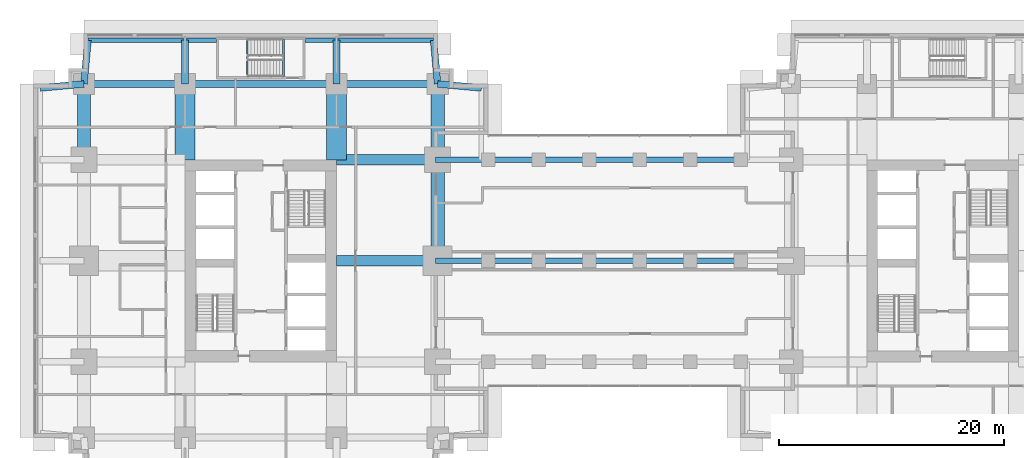
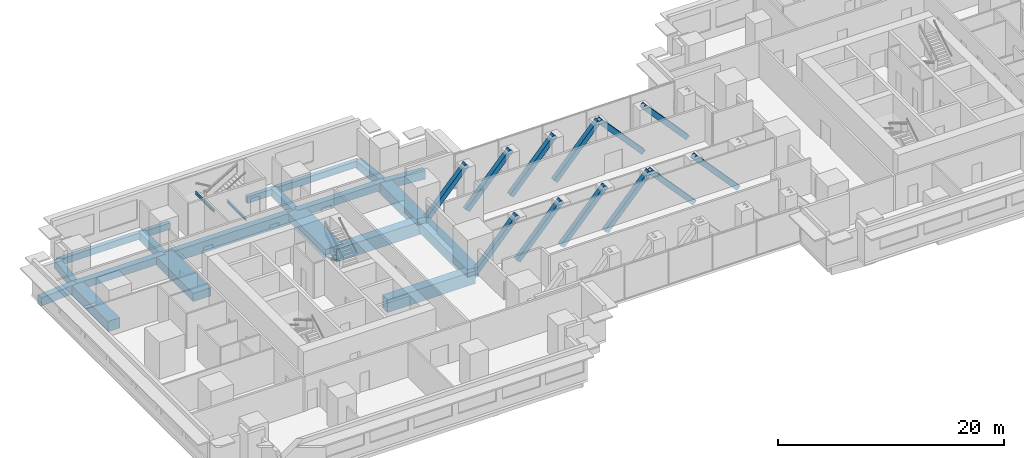
# One storey, part 3 of 15: 18 beams, 14 members.
"""IFC4 building model written with IfcOpenShell, lengths in metres."""

from ifc_helpers import new_model, si_unit, direction, frame, origin, origin_2d, place, context, subcontext, project, spatial, rectangle, hollow_rectangle, i_section, extrude, material, material_profile, profile_set, type_object, element, save


model = new_model("IFC4")

# Units and contexts
model_context = context("Model", 3, precision=1e-05, world=origin(), true_north=direction((0.0, 1.0)))
body_context = subcontext(model_context, "Body", "Model", "MODEL_VIEW")
ifc_project = project(units=[si_unit("LENGTHUNIT", "METRE"), si_unit("AREAUNIT", "SQUARE_METRE"), si_unit("VOLUMEUNIT", "CUBIC_METRE"), si_unit("PLANEANGLEUNIT", "RADIAN"), si_unit("MASSUNIT", "GRAM", prefix="KILO")], contexts=[model_context])

# Site, building, storey
site_placement = place(None, origin())
site = spatial("IfcSite", under=ifc_project, at=site_placement, CompositionType="ELEMENT")
building_placement = place(site_placement, origin())
building = spatial("IfcBuilding", under=site, at=building_placement, Name="Namib Vertical Campus", CompositionType="ELEMENT")
storey_placement = place(building_placement, frame((0.0, 0.0, 109.0)))
storey = spatial("IfcBuildingStorey", under=building, at=storey_placement, Name="L25", CompositionType="ELEMENT", Elevation=109.0)

# Members
ifc_material_1 = material(Name="Steel S355JR", Category="steel")
ifc_material_profile_1 = material_profile(ifc_material_1, hollow_rectangle(XDim=0.5, YDim=0.5, WallThickness=0.031982421875, at=origin_2d()))
ifc_profile_set_1 = profile_set([ifc_material_profile_1], Name="Steel S355JR")
member_type_1 = type_object("IfcMemberType", Name="Bridge end brace WB 500x500x32", PredefinedType="BRACE", material=ifc_profile_set_1)
for number, where, z_axis, x_axis, name in (
    (1, (36.0, 20.25, -0.949951171875), (0.672676426978, 0.0, 0.739936770669), (0.0, 1.0, 0.0), "Bridge brace BX1 L25 T2 bay 1"),
    (2, (40.5, 20.25, -0.949951171875), (0.672676426978, 0.0, 0.739936770669), (0.0, 1.0, 0.0), "Bridge brace BX1 L25 T2 bay 2"),
    (3, (45.0, 20.25, -0.949951171875), (0.672676426978, 0.0, 0.739936770669), (0.0, 1.0, 0.0), "Bridge brace BX1 L25 T2 bay 3"),
    (4, (49.5, 20.25, -0.949951171875), (0.672676426978, 0.0, 0.739936770669), (0.0, 1.0, 0.0), "Bridge brace BX1 L25 T2 bay 4"),
    (5, (58.5, 20.25, -0.949951171875), (-0.672676426978, 0.0, 0.739936770669), (0.0, -1.0, 0.0), "Bridge brace BX1 L25 T2 bay 5"),
    (6, (63.0, 20.25, -0.949951171875), (-0.672676426978, 0.0, 0.739936770669), (0.0, -1.0, 0.0), "Bridge brace BX1 L25 T2 bay 6"),
    (7, (36.0, 29.25, -0.949951171875), (0.672676426978, 0.0, 0.739936770669), (0.0, 1.0, 0.0), "Bridge brace BX1 L25 T3 bay 1"),
    (8, (40.5, 29.25, -0.949951171875), (0.672676426978, 0.0, 0.739936770669), (0.0, 1.0, 0.0), "Bridge brace BX1 L25 T3 bay 2"),
    (9, (45.0, 29.25, -0.949951171875), (0.672676426978, 0.0, 0.739936770669), (0.0, 1.0, 0.0), "Bridge brace BX1 L25 T3 bay 3"),
    (10, (49.5, 29.25, -0.949951171875), (0.672676426978, 0.0, 0.739936770669), (0.0, 1.0, 0.0), "Bridge brace BX1 L25 T3 bay 4"),
    (11, (58.5, 29.25, -0.949951171875), (-0.672676426978, 0.0, 0.739936770669), (0.0, -1.0, 0.0), "Bridge brace BX1 L25 T3 bay 5"),
    (12, (63.0, 29.25, -0.949951171875), (-0.672676426978, 0.0, 0.739936770669), (0.0, -1.0, 0.0), "Bridge brace BX1 L25 T3 bay 6"),
):
    element("IfcMember", number, at=place(storey_placement, frame(where, z_axis=z_axis, x_axis=x_axis)), inside=storey, type_object=member_type_1, Name=name, PredefinedType="BRACE", context=body_context, shape_type="SweptSolid", body=[
        extrude(hollow_rectangle(XDim=0.5, YDim=0.5, WallThickness=0.031982421875, at=origin_2d()), origin(), (0.0, 0.0, 1.0), 6.689697265625),
    ])

# Beams
ifc_material_2 = material(Name="Concrete C40/50", Category="concrete")
ifc_material_profile_2 = material_profile(ifc_material_2, rectangle(XDim=0.60009765625, YDim=0.89990234375, at=origin_2d()))
ifc_profile_set_2 = profile_set([ifc_material_profile_2], Name="Concrete C40/50")
beam_type_1 = type_object("IfcBeamType", Name="Cantilever girder RC 600x900", PredefinedType="BEAM", material=ifc_profile_set_2)
beam_1_placement = place(storey_placement, frame((4.5, 36.0, -0.699951171875), z_axis=(0.089411326146, 0.995994786511, 0.0), x_axis=(-0.995994786511, 0.089411326146, 0.0)))
element("IfcBeam", 13, at=beam_1_placement, inside=storey, type_object=beam_type_1, Name="Beam B3 L25", PredefinedType="BEAM", context=body_context, shape_type="SweptSolid", body=[
    extrude(rectangle(XDim=0.60009765625, YDim=0.89990234375, at=origin_2d()), origin(), (0.0, 0.0, 1.0), 3.91552734375),
])
for number, where, z_axis, x_axis, name in (
    (14, (13.5, 36.0, -0.699951171875), (0.0, 1.0, 0.0), (-1.0, 0.0, 0.0), "Beam B3 L25"),
    (15, (27.0, 36.0, -0.699951171875), (0.0, 1.0, 0.0), (-1.0, 0.0, 0.0), "Beam B3 L25"),
):
    element("IfcBeam", number, at=place(storey_placement, frame(where, z_axis=z_axis, x_axis=x_axis)), inside=storey, type_object=beam_type_1, Name=name, PredefinedType="BEAM", context=body_context, shape_type="SweptSolid", body=[
        extrude(rectangle(XDim=0.60009765625, YDim=0.89990234375, at=origin_2d()), origin(), (0.0, 0.0, 1.0), 3.89990234375),
    ])
for number, where, z_axis, x_axis, name in (
    (16, (36.0, 36.0, -0.699951171875), (-0.089411326146, 0.995994786511, 0.0), (-0.995994786511, -0.089411326146, 0.0), "Beam B3 L25"),
    (17, (4.5, 36.0, -0.699951171875), (-0.995994786511, -0.089411326146, 0.0), (0.089411326146, -0.995994786511, 0.0), "Beam B3 L25"),
    (18, (36.0, 36.0, -0.699951171875), (0.995994786511, -0.089411326146, 0.0), (0.089411326146, 0.995994786511, 0.0), "Beam B3 L25"),
):
    element("IfcBeam", number, at=place(storey_placement, frame(where, z_axis=z_axis, x_axis=x_axis)), inside=storey, type_object=beam_type_1, Name=name, PredefinedType="BEAM", context=body_context, shape_type="SweptSolid", body=[
        extrude(rectangle(XDim=0.60009765625, YDim=0.89990234375, at=origin_2d()), origin(), (0.0, 0.0, 1.0), 3.91552734375),
    ])
ifc_material_3 = material(Name="Concrete C40/50", Category="concrete")
ifc_material_profile_3 = material_profile(ifc_material_3, rectangle(XDim=0.39990234375, YDim=0.699951171875, at=origin_2d()))
ifc_profile_set_3 = profile_set([ifc_material_profile_3], Name="Concrete C40/50")
beam_type_2 = type_object("IfcBeamType", Name="Edge beam RC 400x700", PredefinedType="SPANDREL", material=ifc_profile_set_3)
for number, where, z_axis, x_axis, name in (
    (19, (4.85009765625, 39.89990234375, -0.60009765625), (1.0, 0.0, 0.0), (0.0, 1.0, 0.0), "Beam B4 L25"),
    (20, (24.199951171875, 39.89990234375, -0.60009765625), (1.0, 0.0, 0.0), (0.0, 1.0, 0.0), "Beam B4 L25"),
):
    element("IfcBeam", number, at=place(storey_placement, frame(where, z_axis=z_axis, x_axis=x_axis)), inside=storey, type_object=beam_type_2, Name=name, PredefinedType="SPANDREL", context=body_context, shape_type="SweptSolid", body=[
        extrude(rectangle(XDim=0.39990234375, YDim=0.699951171875, at=origin_2d()), origin(), (0.0, 0.0, 1.0), 11.449951171875),
    ])
ifc_material_4 = material(Name="Concrete C40/50", Category="concrete")
ifc_material_profile_4 = material_profile(ifc_material_4, rectangle(XDim=1.199951171875, YDim=1.10009765625, at=origin_2d()))
ifc_profile_set_4 = profile_set([ifc_material_profile_4], Name="Concrete C40/50")
beam_type_3 = type_object("IfcBeamType", Name="Face ring beam RC 1200x1100", PredefinedType="BEAM", material=ifc_profile_set_4)
beam_2_placement = place(storey_placement, frame((4.5, 29.25, -0.800048828125), z_axis=(0.0, 1.0, 0.0), x_axis=(-1.0, 0.0, 0.0)))
element("IfcBeam", 21, at=beam_2_placement, inside=storey, type_object=beam_type_3, Name="Beam B11 L25", PredefinedType="BEAM", context=body_context, shape_type="SweptSolid", body=[
    extrude(rectangle(XDim=1.199951171875, YDim=1.10009765625, at=origin_2d()), origin(), (0.0, 0.0, 1.0), 6.75),
])
beam_3_placement = place(storey_placement, frame((36.0, 20.25, -0.800048828125), z_axis=(0.0, 1.0, 0.0), x_axis=(-1.0, 0.0, 0.0)))
element("IfcBeam", 22, at=beam_3_placement, inside=storey, type_object=beam_type_3, Name="Beam B11 L25", PredefinedType="BEAM", context=body_context, shape_type="SweptSolid", body=[
    extrude(rectangle(XDim=1.199951171875, YDim=1.10009765625, at=origin_2d()), origin(), (0.0, 0.0, 1.0), 9.0),
])
beam_4_placement = place(storey_placement, frame((36.0, 29.25, -0.800048828125), z_axis=(0.0, 1.0, 0.0), x_axis=(-1.0, 0.0, 0.0)))
element("IfcBeam", 23, at=beam_4_placement, inside=storey, type_object=beam_type_3, Name="Beam B11 L25", PredefinedType="BEAM", context=body_context, shape_type="SweptSolid", body=[
    extrude(rectangle(XDim=1.199951171875, YDim=1.10009765625, at=origin_2d()), origin(), (0.0, 0.0, 1.0), 6.75),
])
ifc_material_5 = material(Name="Steel S355JR", Category="steel")
ifc_material_profile_5 = material_profile(ifc_material_5, i_section(OverallWidth=0.14599609375, OverallDepth=0.25146484375, WebThickness=0.006103515625, FlangeThickness=0.008544921875, FilletRadius=0.007568359375, at=origin_2d()))
ifc_profile_set_5 = profile_set([ifc_material_profile_5], Name="Steel S355JR")
beam_type_4 = type_object("IfcBeamType", Name="Landing trimmer UB 254x146x31", PredefinedType="BEAM", material=ifc_profile_set_5)
for number, where, z_axis, x_axis, name in (
    (24, (22.27294921875, 36.64990234375, -0.125732421875), (0.0, 1.0, 0.0), (-1.0, 0.0, 0.0), "Landing trimmer LT1 A-S3 L25 1"),
    (25, (19.046875, 36.64990234375, 1.874267578125), (0.0, 1.0, 0.0), (-1.0, 0.0, 0.0), "Landing trimmer LT1 A-S3 L25 2"),
):
    element("IfcBeam", number, at=place(storey_placement, frame(where, z_axis=z_axis, x_axis=x_axis)), inside=storey, type_object=beam_type_4, Name=name, PredefinedType="BEAM", context=body_context, shape_type="SweptSolid", body=[
        extrude(i_section(OverallWidth=0.14599609375, OverallDepth=0.25146484375, WebThickness=0.006103515625, FlangeThickness=0.008544921875, FilletRadius=0.007568359375, at=origin_2d()), origin(), (0.0, 0.0, 1.0), 3.35009765625),
    ])
ifc_material_6 = material(Name="Concrete C40/50", Category="concrete")
ifc_material_profile_6 = material_profile(ifc_material_6, rectangle(XDim=0.60009765625, YDim=1.199951171875, at=origin_2d()))
ifc_profile_set_6 = profile_set([ifc_material_profile_6], Name="Concrete C40/50")
beam_type_5 = type_object("IfcBeamType", Name="Long-span ring beam RC 600x1200", PredefinedType="BEAM", material=ifc_profile_set_6)
beam_5_placement = place(storey_placement, frame((13.5, 36.0, -0.85009765625), z_axis=(1.0, 0.0, 0.0), x_axis=(0.0, 1.0, 0.0)))
element("IfcBeam", 26, at=beam_5_placement, inside=storey, type_object=beam_type_5, Name="Beam B9 L25", PredefinedType="BEAM", context=body_context, shape_type="SweptSolid", body=[
    extrude(rectangle(XDim=0.60009765625, YDim=1.199951171875, at=origin_2d()), origin(), (0.0, 0.0, 1.0), 13.5),
])
ifc_material_7 = material(Name="Concrete C40/50", Category="concrete")
ifc_material_profile_7 = material_profile(ifc_material_7, rectangle(XDim=1.800048828125, YDim=0.89990234375, at=origin_2d()))
ifc_profile_set_7 = profile_set([ifc_material_profile_7], Name="Concrete C40/50")
beam_type_6 = type_object("IfcBeamType", Name="Outrigger line girder RC 1800x900", PredefinedType="BEAM", material=ifc_profile_set_7)
for number, where, z_axis, x_axis, name in (
    (27, (13.5, 36.0, -0.699951171875), (0.0, -1.0, 0.0), (1.0, 0.0, 0.0), "Beam B12 L25"),
    (28, (27.0, 36.0, -0.699951171875), (0.0, -1.0, 0.0), (1.0, 0.0, 0.0), "Beam B12 L25"),
):
    element("IfcBeam", number, at=place(storey_placement, frame(where, z_axis=z_axis, x_axis=x_axis)), inside=storey, type_object=beam_type_6, Name=name, PredefinedType="BEAM", context=body_context, shape_type="SweptSolid", body=[
        extrude(rectangle(XDim=1.800048828125, YDim=0.89990234375, at=origin_2d()), origin(), (0.0, 0.0, 1.0), 6.75),
    ])
ifc_material_8 = material(Name="Concrete C40/50", Category="concrete")
ifc_material_profile_8 = material_profile(ifc_material_8, rectangle(XDim=0.60009765625, YDim=0.800048828125, at=origin_2d()))
ifc_profile_set_8 = profile_set([ifc_material_profile_8], Name="Concrete C40/50")
beam_type_7 = type_object("IfcBeamType", Name="Ring beam RC 600x800", PredefinedType="BEAM", material=ifc_profile_set_8)
for number, where, z_axis, x_axis, name in (
    (29, (4.5, 36.0, -0.64990234375), (1.0, 0.0, 0.0), (0.0, 1.0, 0.0), "Beam B1 L25"),
    (30, (27.0, 36.0, -0.64990234375), (1.0, 0.0, 0.0), (0.0, 1.0, 0.0), "Beam B1 L25"),
):
    element("IfcBeam", number, at=place(storey_placement, frame(where, z_axis=z_axis, x_axis=x_axis)), inside=storey, type_object=beam_type_7, Name=name, PredefinedType="BEAM", context=body_context, shape_type="SweptSolid", body=[
        extrude(rectangle(XDim=0.60009765625, YDim=0.800048828125, at=origin_2d()), origin(), (0.0, 0.0, 1.0), 9.0),
    ])

# Members
ifc_material_9 = material(Name="Steel S355JR", Category="steel")
ifc_material_profile_9 = material_profile(ifc_material_9, hollow_rectangle(XDim=0.89990234375, YDim=1.39990234375, WallThickness=0.070068359375, at=origin_2d()))
ifc_profile_set_9 = profile_set([ifc_material_profile_9], Name="Steel S355JR")
member_type_2 = type_object("IfcMemberType", Name="Truss chord WB 1400x900x70", PredefinedType="CHORD", material=ifc_profile_set_9)
for number, where, z_axis, x_axis, name in (
    (31, (36.0, 20.25, -0.949951171875), (-1.0, 0.0, 0.0), (0.0, -1.0, 0.0), "Transfer truss T2 anchor chord A top"),
    (32, (36.0, 29.25, -0.949951171875), (-1.0, 0.0, 0.0), (0.0, -1.0, 0.0), "Transfer truss T3 anchor chord A top"),
):
    element("IfcMember", number, at=place(storey_placement, frame(where, z_axis=z_axis, x_axis=x_axis)), inside=storey, type_object=member_type_2, Name=name, PredefinedType="CHORD", context=body_context, shape_type="SweptSolid", body=[
        extrude(hollow_rectangle(XDim=0.89990234375, YDim=1.39990234375, WallThickness=0.070068359375, at=origin_2d()), origin(), (0.0, 0.0, 1.0), 9.0),
    ])

save(model, "model.ifc")
